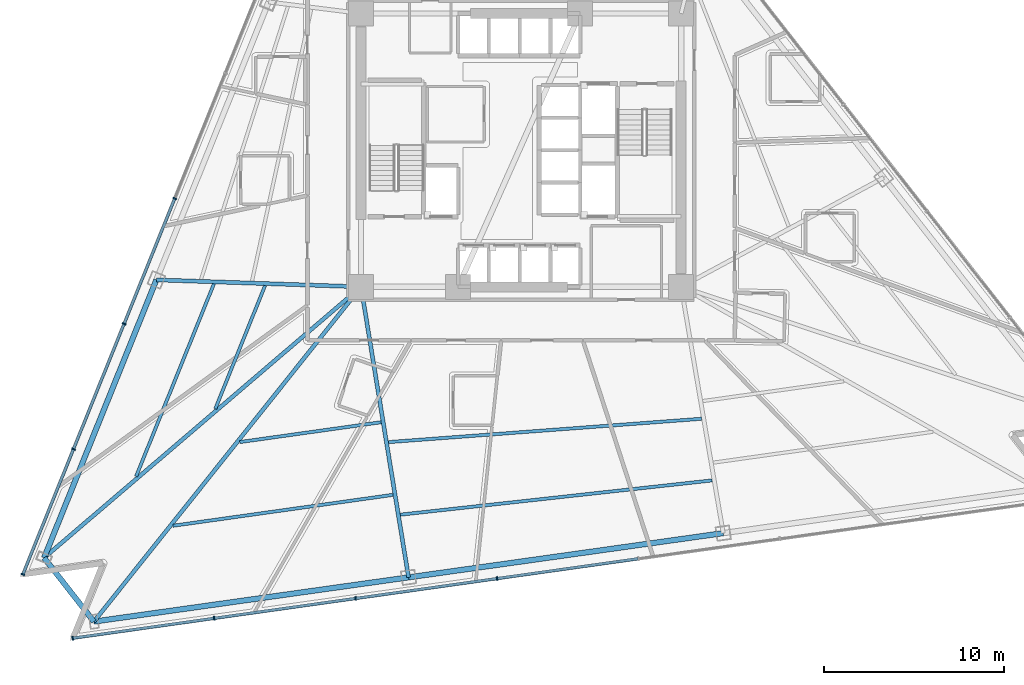
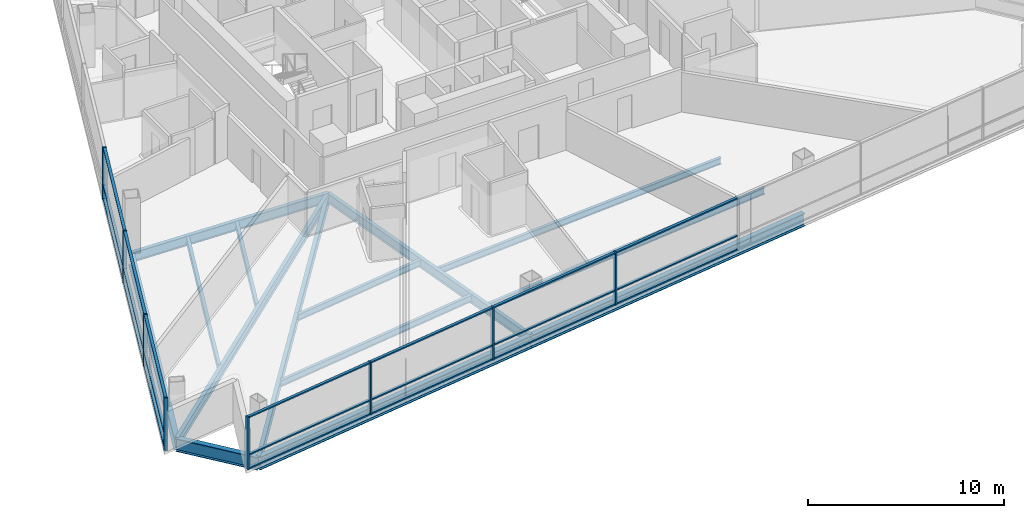
# One storey, part 2 of 15: 29 members, 14 beams, 2 elements without a shape of their own.
"""IFC4 building model written with IfcOpenShell, lengths in metres."""

from ifc_helpers import new_model, si_unit, direction, frame, origin, origin_2d, place, context, subcontext, project, spatial, rectangle, i_section, extrude, material, layer, layer_set, material_profile, profile_set, type_object, element, aggregate, save


model = new_model("IFC4")

# Units and contexts
model_context = context("Model", 3, precision=1e-05, world=origin(), true_north=direction((0.0, 1.0)))
body_context = subcontext(model_context, "Body", "Model", "MODEL_VIEW")
ifc_project = project(units=[si_unit("LENGTHUNIT", "METRE"), si_unit("AREAUNIT", "SQUARE_METRE"), si_unit("VOLUMEUNIT", "CUBIC_METRE"), si_unit("PLANEANGLEUNIT", "RADIAN"), si_unit("MASSUNIT", "GRAM", prefix="KILO")], contexts=[model_context])

# Site, building, storey
site_placement = place(None, origin())
site = spatial("IfcSite", under=ifc_project, at=site_placement, CompositionType="ELEMENT")
building_placement = place(site_placement, origin())
building = spatial("IfcBuilding", under=site, at=building_placement, Name="Tharavind Bronze Gate", CompositionType="ELEMENT")
storey_placement = place(building_placement, frame((0.0, 0.0, 63.85009765625)))
storey = spatial("IfcBuildingStorey", under=building, at=storey_placement, Name="L15", CompositionType="ELEMENT", Elevation=63.85009765625)

# Curtain wall, members
ifc_material_1 = material(Name="Anodised Bronze Aluminium", Category="aluminium")
ifc_layer = layer(ifc_material_1, 0.219970703125)
ifc_layer_set = layer_set([ifc_layer], Name="Anodised Bronze Aluminium")
curtain_wall_type = type_object("IfcCurtainWallType", Name="UNITISED CURTAIN WALL HOTEL", PredefinedType="USERDEFINED", material=ifc_layer_set)
curtain_wall_1_placement = place(storey_placement, origin())
curtain_wall_1 = element("IfcCurtainWall", 1, at=curtain_wall_1_placement, inside=storey, type_object=curtain_wall_type, Name="L15 unitised curtain wall hotel CW-L15-S1", ObjectType="UNITISED CURTAIN WALL", PredefinedType="USERDEFINED")
member_type_1 = type_object("IfcMemberType", Name="CURTAIN WALL MULLION 80X220", PredefinedType="MULLION", material=ifc_material_1)
member_1_placement = place(storey_placement, frame((-19.261474609375, -2.688232421875, 0.0), z_axis=(0.0, 0.0, 1.0), x_axis=(-0.374606593416, -0.927183854567, 0.0)))
member_1 = element("IfcMember", 2, at=member_1_placement, type_object=member_type_1, Name="CW-L15-S1 mullion 5", PredefinedType="MULLION", context=body_context, shape_type="SweptSolid", body=[
    extrude(rectangle(XDim=0.080078125, YDim=0.219970703125, at=origin_2d()), origin(), (0.0, 0.0, 1.0), 3.27490234375),
])
member_2_placement = place(storey_placement, frame((-22.07666015625, -9.65625, 0.0), z_axis=(0.0, 0.0, 1.0), x_axis=(-0.374606593416, -0.927183854567, 0.0)))
member_2 = element("IfcMember", 3, at=member_2_placement, type_object=member_type_1, Name="CW-L15-S1 mullion 6", PredefinedType="MULLION", context=body_context, shape_type="SweptSolid", body=[
    extrude(rectangle(XDim=0.080078125, YDim=0.219970703125, at=origin_2d()), origin(), (0.0, 0.0, 1.0), 3.27490234375),
])
member_3_placement = place(storey_placement, frame((-24.891845703125, -16.6240234375, 0.0), z_axis=(0.0, 0.0, 1.0), x_axis=(-0.374606593416, -0.927183854567, 0.0)))
member_3 = element("IfcMember", 4, at=member_3_placement, type_object=member_type_1, Name="CW-L15-S1 mullion 7", PredefinedType="MULLION", context=body_context, shape_type="SweptSolid", body=[
    extrude(rectangle(XDim=0.080078125, YDim=0.219970703125, at=origin_2d()), origin(), (0.0, 0.0, 1.0), 3.27490234375),
])
member_4_placement = place(storey_placement, frame((-27.70703125, -23.591796875, 0.0), z_axis=(0.0, 0.0, 1.0), x_axis=(-0.374606593416, -0.927183854567, 0.0)))
member_4 = element("IfcMember", 5, at=member_4_placement, type_object=member_type_1, Name="CW-L15-S1 mullion 8", PredefinedType="MULLION", context=body_context, shape_type="SweptSolid", body=[
    extrude(rectangle(XDim=0.080078125, YDim=0.219970703125, at=origin_2d()), origin(), (0.0, 0.0, 1.0), 3.27490234375),
])

curtain_wall_2_placement = place(storey_placement, origin())
curtain_wall_2 = element("IfcCurtainWall", 6, at=curtain_wall_2_placement, inside=storey, type_object=curtain_wall_type, Name="L15 unitised curtain wall hotel CW-L15-S2", ObjectType="UNITISED CURTAIN WALL", PredefinedType="USERDEFINED")
member_5_placement = place(storey_placement, frame((-24.9365234375, -27.137939453125, 0.0), z_axis=(0.0, 0.0, 1.0), x_axis=(0.990268068742, 0.13917310096, 0.0)))
member_5 = element("IfcMember", 7, at=member_5_placement, type_object=member_type_1, Name="CW-L15-S2 mullion 1", PredefinedType="MULLION", context=body_context, shape_type="SweptSolid", body=[
    extrude(rectangle(XDim=0.080078125, YDim=0.219970703125, at=origin_2d()), origin(), (0.0, 0.0, 1.0), 3.27490234375),
])
member_6_placement = place(storey_placement, frame((-17.0703125, -26.032470703125, 0.0), z_axis=(0.0, 0.0, 1.0), x_axis=(0.990268068742, 0.13917310096, 0.0)))
member_6 = element("IfcMember", 8, at=member_6_placement, type_object=member_type_1, Name="CW-L15-S2 mullion 2", PredefinedType="MULLION", context=body_context, shape_type="SweptSolid", body=[
    extrude(rectangle(XDim=0.080078125, YDim=0.219970703125, at=origin_2d()), origin(), (0.0, 0.0, 1.0), 3.27490234375),
])
member_7_placement = place(storey_placement, frame((-9.203857421875, -24.9267578125, 0.0), z_axis=(0.0, 0.0, 1.0), x_axis=(0.990268068742, 0.13917310096, 0.0)))
member_7 = element("IfcMember", 9, at=member_7_placement, type_object=member_type_1, Name="CW-L15-S2 mullion 3", PredefinedType="MULLION", context=body_context, shape_type="SweptSolid", body=[
    extrude(rectangle(XDim=0.080078125, YDim=0.219970703125, at=origin_2d()), origin(), (0.0, 0.0, 1.0), 3.27490234375),
])
member_8_placement = place(storey_placement, frame((-1.337646484375, -23.8212890625, 0.0), z_axis=(0.0, 0.0, 1.0), x_axis=(0.990268068742, 0.13917310096, 0.0)))
member_8 = element("IfcMember", 10, at=member_8_placement, type_object=member_type_1, Name="CW-L15-S2 mullion 4", PredefinedType="MULLION", context=body_context, shape_type="SweptSolid", body=[
    extrude(rectangle(XDim=0.080078125, YDim=0.219970703125, at=origin_2d()), origin(), (0.0, 0.0, 1.0), 3.27490234375),
])

# Member
member_type_2 = type_object("IfcMemberType", Name="CURTAIN WALL TRANSOM 80X160", PredefinedType="USERDEFINED", material=ifc_material_1)
member_9_placement = place(storey_placement, frame((-20.669189453125, -6.17236328125, -0.000244140625), z_axis=(0.0, 0.0, 1.0), x_axis=(-0.374606593416, -0.927183854567, 0.0)))
member_9 = element("IfcMember", 11, at=member_9_placement, type_object=member_type_2, Name="CW-L15-S1 transom TB5", ObjectType="TRANSOM", PredefinedType="USERDEFINED", context=body_context, shape_type="SweptSolid", body=[
    extrude(rectangle(XDim=7.447021484375, YDim=0.159912109375, at=origin_2d()), origin(), (0.0, 0.0, 1.0), 0.080078125),
])

member_10_placement = place(storey_placement, frame((-20.669189453125, -6.17236328125, 0.85986328125), z_axis=(0.0, 0.0, 1.0), x_axis=(-0.374606593416, -0.927183854567, 0.0)))
member_10 = element("IfcMember", 12, at=member_10_placement, type_object=member_type_2, Name="CW-L15-S1 transom TS5", ObjectType="TRANSOM", PredefinedType="USERDEFINED", context=body_context, shape_type="SweptSolid", body=[
    extrude(rectangle(XDim=7.447021484375, YDim=0.159912109375, at=origin_2d()), origin(), (0.0, 0.0, 1.0), 0.080078125),
])

member_11_placement = place(storey_placement, frame((-20.669189453125, -6.17236328125, 3.19482421875), z_axis=(0.0, 0.0, 1.0), x_axis=(-0.374606593416, -0.927183854567, 0.0)))
member_11 = element("IfcMember", 13, at=member_11_placement, type_object=member_type_2, Name="CW-L15-S1 transom TT5", ObjectType="TRANSOM", PredefinedType="USERDEFINED", context=body_context, shape_type="SweptSolid", body=[
    extrude(rectangle(XDim=7.447021484375, YDim=0.159912109375, at=origin_2d()), origin(), (0.0, 0.0, 1.0), 0.080078125),
])

member_12_placement = place(storey_placement, frame((-23.484375, -13.14013671875, -0.000244140625), z_axis=(0.0, 0.0, 1.0), x_axis=(-0.374606593416, -0.927183854567, 0.0)))
member_12 = element("IfcMember", 14, at=member_12_placement, type_object=member_type_2, Name="CW-L15-S1 transom TB6", ObjectType="TRANSOM", PredefinedType="USERDEFINED", context=body_context, shape_type="SweptSolid", body=[
    extrude(rectangle(XDim=7.447021484375, YDim=0.159912109375, at=origin_2d()), origin(), (0.0, 0.0, 1.0), 0.080078125),
])

member_13_placement = place(storey_placement, frame((-23.484375, -13.14013671875, 0.85986328125), z_axis=(0.0, 0.0, 1.0), x_axis=(-0.374606593416, -0.927183854567, 0.0)))
member_13 = element("IfcMember", 15, at=member_13_placement, type_object=member_type_2, Name="CW-L15-S1 transom TS6", ObjectType="TRANSOM", PredefinedType="USERDEFINED", context=body_context, shape_type="SweptSolid", body=[
    extrude(rectangle(XDim=7.447021484375, YDim=0.159912109375, at=origin_2d()), origin(), (0.0, 0.0, 1.0), 0.080078125),
])

member_14_placement = place(storey_placement, frame((-23.484375, -13.14013671875, 3.19482421875), z_axis=(0.0, 0.0, 1.0), x_axis=(-0.374606593416, -0.927183854567, 0.0)))
member_14 = element("IfcMember", 16, at=member_14_placement, type_object=member_type_2, Name="CW-L15-S1 transom TT6", ObjectType="TRANSOM", PredefinedType="USERDEFINED", context=body_context, shape_type="SweptSolid", body=[
    extrude(rectangle(XDim=7.447021484375, YDim=0.159912109375, at=origin_2d()), origin(), (0.0, 0.0, 1.0), 0.080078125),
])

member_15_placement = place(storey_placement, frame((-26.299560546875, -20.10791015625, -0.000244140625), z_axis=(0.0, 0.0, 1.0), x_axis=(-0.374606593416, -0.927183854567, 0.0)))
member_15 = element("IfcMember", 17, at=member_15_placement, type_object=member_type_2, Name="CW-L15-S1 transom TB7", ObjectType="TRANSOM", PredefinedType="USERDEFINED", context=body_context, shape_type="SweptSolid", body=[
    extrude(rectangle(XDim=7.447021484375, YDim=0.159912109375, at=origin_2d()), origin(), (0.0, 0.0, 1.0), 0.080078125),
])

member_16_placement = place(storey_placement, frame((-26.299560546875, -20.10791015625, 0.85986328125), z_axis=(0.0, 0.0, 1.0), x_axis=(-0.374606593416, -0.927183854567, 0.0)))
member_16 = element("IfcMember", 18, at=member_16_placement, type_object=member_type_2, Name="CW-L15-S1 transom TS7", ObjectType="TRANSOM", PredefinedType="USERDEFINED", context=body_context, shape_type="SweptSolid", body=[
    extrude(rectangle(XDim=7.447021484375, YDim=0.159912109375, at=origin_2d()), origin(), (0.0, 0.0, 1.0), 0.080078125),
])

member_17_placement = place(storey_placement, frame((-26.299560546875, -20.10791015625, 3.19482421875), z_axis=(0.0, 0.0, 1.0), x_axis=(-0.374606593416, -0.927183854567, 0.0)))
member_17 = element("IfcMember", 19, at=member_17_placement, type_object=member_type_2, Name="CW-L15-S1 transom TT7", ObjectType="TRANSOM", PredefinedType="USERDEFINED", context=body_context, shape_type="SweptSolid", body=[
    extrude(rectangle(XDim=7.447021484375, YDim=0.159912109375, at=origin_2d()), origin(), (0.0, 0.0, 1.0), 0.080078125),
])

aggregate(curtain_wall_1, [member_1, member_2, member_3, member_4, member_9, member_10, member_11, member_12, member_13, member_14, member_15, member_16, member_17])

member_18_placement = place(storey_placement, frame((-21.00341796875, -26.585205078125, -0.000244140625), z_axis=(0.0, 0.0, 1.0), x_axis=(0.990268068742, 0.13917310096, 0.0)))
member_18 = element("IfcMember", 20, at=member_18_placement, type_object=member_type_2, Name="CW-L15-S2 transom TB1", ObjectType="TRANSOM", PredefinedType="USERDEFINED", context=body_context, shape_type="SweptSolid", body=[
    extrude(rectangle(XDim=7.87548828125, YDim=0.159912109375, at=origin_2d()), origin(), (0.0, 0.0, 1.0), 0.080078125),
])

member_19_placement = place(storey_placement, frame((-21.00341796875, -26.585205078125, 0.85986328125), z_axis=(0.0, 0.0, 1.0), x_axis=(0.990268068742, 0.13917310096, 0.0)))
member_19 = element("IfcMember", 21, at=member_19_placement, type_object=member_type_2, Name="CW-L15-S2 transom TS1", ObjectType="TRANSOM", PredefinedType="USERDEFINED", context=body_context, shape_type="SweptSolid", body=[
    extrude(rectangle(XDim=7.87548828125, YDim=0.159912109375, at=origin_2d()), origin(), (0.0, 0.0, 1.0), 0.080078125),
])

member_20_placement = place(storey_placement, frame((-21.00341796875, -26.585205078125, 3.19482421875), z_axis=(0.0, 0.0, 1.0), x_axis=(0.990268068742, 0.13917310096, 0.0)))
member_20 = element("IfcMember", 22, at=member_20_placement, type_object=member_type_2, Name="CW-L15-S2 transom TT1", ObjectType="TRANSOM", PredefinedType="USERDEFINED", context=body_context, shape_type="SweptSolid", body=[
    extrude(rectangle(XDim=7.87548828125, YDim=0.159912109375, at=origin_2d()), origin(), (0.0, 0.0, 1.0), 0.080078125),
])

member_21_placement = place(storey_placement, frame((-13.13720703125, -25.4794921875, -0.000244140625), z_axis=(0.0, 0.0, 1.0), x_axis=(0.990268068742, 0.13917310096, 0.0)))
member_21 = element("IfcMember", 23, at=member_21_placement, type_object=member_type_2, Name="CW-L15-S2 transom TB2", ObjectType="TRANSOM", PredefinedType="USERDEFINED", context=body_context, shape_type="SweptSolid", body=[
    extrude(rectangle(XDim=7.87548828125, YDim=0.159912109375, at=origin_2d()), origin(), (0.0, 0.0, 1.0), 0.080078125),
])

member_22_placement = place(storey_placement, frame((-13.13720703125, -25.4794921875, 0.85986328125), z_axis=(0.0, 0.0, 1.0), x_axis=(0.990268068742, 0.13917310096, 0.0)))
member_22 = element("IfcMember", 24, at=member_22_placement, type_object=member_type_2, Name="CW-L15-S2 transom TS2", ObjectType="TRANSOM", PredefinedType="USERDEFINED", context=body_context, shape_type="SweptSolid", body=[
    extrude(rectangle(XDim=7.87548828125, YDim=0.159912109375, at=origin_2d()), origin(), (0.0, 0.0, 1.0), 0.080078125),
])

member_23_placement = place(storey_placement, frame((-13.13720703125, -25.4794921875, 3.19482421875), z_axis=(0.0, 0.0, 1.0), x_axis=(0.990268068742, 0.13917310096, 0.0)))
member_23 = element("IfcMember", 25, at=member_23_placement, type_object=member_type_2, Name="CW-L15-S2 transom TT2", ObjectType="TRANSOM", PredefinedType="USERDEFINED", context=body_context, shape_type="SweptSolid", body=[
    extrude(rectangle(XDim=7.87548828125, YDim=0.159912109375, at=origin_2d()), origin(), (0.0, 0.0, 1.0), 0.080078125),
])

member_24_placement = place(storey_placement, frame((-5.270751953125, -24.3740234375, -0.000244140625), z_axis=(0.0, 0.0, 1.0), x_axis=(0.990268068742, 0.13917310096, 0.0)))
member_24 = element("IfcMember", 26, at=member_24_placement, type_object=member_type_2, Name="CW-L15-S2 transom TB3", ObjectType="TRANSOM", PredefinedType="USERDEFINED", context=body_context, shape_type="SweptSolid", body=[
    extrude(rectangle(XDim=7.87548828125, YDim=0.159912109375, at=origin_2d()), origin(), (0.0, 0.0, 1.0), 0.080078125),
])

member_25_placement = place(storey_placement, frame((-5.270751953125, -24.3740234375, 0.85986328125), z_axis=(0.0, 0.0, 1.0), x_axis=(0.990268068742, 0.13917310096, 0.0)))
member_25 = element("IfcMember", 27, at=member_25_placement, type_object=member_type_2, Name="CW-L15-S2 transom TS3", ObjectType="TRANSOM", PredefinedType="USERDEFINED", context=body_context, shape_type="SweptSolid", body=[
    extrude(rectangle(XDim=7.87548828125, YDim=0.159912109375, at=origin_2d()), origin(), (0.0, 0.0, 1.0), 0.080078125),
])

member_26_placement = place(storey_placement, frame((-5.270751953125, -24.3740234375, 3.19482421875), z_axis=(0.0, 0.0, 1.0), x_axis=(0.990268068742, 0.13917310096, 0.0)))
member_26 = element("IfcMember", 28, at=member_26_placement, type_object=member_type_2, Name="CW-L15-S2 transom TT3", ObjectType="TRANSOM", PredefinedType="USERDEFINED", context=body_context, shape_type="SweptSolid", body=[
    extrude(rectangle(XDim=7.87548828125, YDim=0.159912109375, at=origin_2d()), origin(), (0.0, 0.0, 1.0), 0.080078125),
])

member_27_placement = place(storey_placement, frame((2.595703125, -23.2685546875, -0.000244140625), z_axis=(0.0, 0.0, 1.0), x_axis=(0.990268068742, 0.13917310096, 0.0)))
member_27 = element("IfcMember", 29, at=member_27_placement, type_object=member_type_2, Name="CW-L15-S2 transom TB4", ObjectType="TRANSOM", PredefinedType="USERDEFINED", context=body_context, shape_type="SweptSolid", body=[
    extrude(rectangle(XDim=7.87548828125, YDim=0.159912109375, at=origin_2d()), origin(), (0.0, 0.0, 1.0), 0.080078125),
])

member_28_placement = place(storey_placement, frame((2.595703125, -23.2685546875, 0.85986328125), z_axis=(0.0, 0.0, 1.0), x_axis=(0.990268068742, 0.13917310096, 0.0)))
member_28 = element("IfcMember", 30, at=member_28_placement, type_object=member_type_2, Name="CW-L15-S2 transom TS4", ObjectType="TRANSOM", PredefinedType="USERDEFINED", context=body_context, shape_type="SweptSolid", body=[
    extrude(rectangle(XDim=7.87548828125, YDim=0.159912109375, at=origin_2d()), origin(), (0.0, 0.0, 1.0), 0.080078125),
])

member_29_placement = place(storey_placement, frame((2.595703125, -23.2685546875, 3.19482421875), z_axis=(0.0, 0.0, 1.0), x_axis=(0.990268068742, 0.13917310096, 0.0)))
member_29 = element("IfcMember", 31, at=member_29_placement, type_object=member_type_2, Name="CW-L15-S2 transom TT4", ObjectType="TRANSOM", PredefinedType="USERDEFINED", context=body_context, shape_type="SweptSolid", body=[
    extrude(rectangle(XDim=7.87548828125, YDim=0.159912109375, at=origin_2d()), origin(), (0.0, 0.0, 1.0), 0.080078125),
])

aggregate(curtain_wall_2, [member_5, member_6, member_7, member_8, member_18, member_19, member_20, member_21, member_22, member_23, member_24, member_25, member_26, member_27, member_28, member_29])

# Beams
ifc_material_2 = material(Name="Steel S355", Category="steel")
ifc_material_profile_1 = material_profile(ifc_material_2, i_section(OverallWidth=0.219970703125, OverallDepth=0.60009765625, WebThickness=0.011962890625, FlangeThickness=0.01904296875, at=origin_2d()), Name="IPE600")
ifc_profile_set_1 = profile_set([ifc_material_profile_1], Name="Steel S355")
beam_type_1 = type_object("IfcBeamType", Name="PRIMARY GIRDER IPE600", PredefinedType="USERDEFINED", material=ifc_profile_set_1)
beam_1_placement = place(storey_placement, frame((-20.28076171875, -7.212890625, -0.47509765625), z_axis=(0.999421731514, -0.034002978938, 0.0), x_axis=(0.034002978938, 0.999421731514, 0.0)))
element("IfcBeam", 32, at=beam_1_placement, inside=storey, type_object=beam_type_1, Name="L15 primary girder ipe600 BM-L15-RAD03", ObjectType="GIRDER", PredefinedType="USERDEFINED", context=body_context, shape_type="SweptSolid", body=[
    extrude(i_section(OverallWidth=0.219970703125, OverallDepth=0.60009765625, WebThickness=0.011962890625, FlangeThickness=0.01904296875, at=origin_2d()), origin(), (0.0, 0.0, 1.0), 11.387451171875),
])
beam_2_placement = place(storey_placement, frame((-26.525146484375, -22.66845703125, -0.47509765625), z_axis=(0.760086871137, 0.649821474195, 0.0), x_axis=(-0.649821474195, 0.760086871137, 0.0)))
element("IfcBeam", 33, at=beam_2_placement, inside=storey, type_object=beam_type_1, Name="L15 primary girder ipe600 BM-L15-RAD04", ObjectType="GIRDER", PredefinedType="USERDEFINED", context=body_context, shape_type="SweptSolid", body=[
    extrude(i_section(OverallWidth=0.219970703125, OverallDepth=0.60009765625, WebThickness=0.011962890625, FlangeThickness=0.01904296875, at=origin_2d()), origin(), (0.0, 0.0, 1.0), 23.1884765625),
])
beam_3_placement = place(storey_placement, frame((-23.754638671875, -26.21435546875, -0.47509765625), z_axis=(0.623755703822, 0.781619358735, 0.0), x_axis=(-0.781619358735, 0.623755703822, 0.0)))
element("IfcBeam", 34, at=beam_3_placement, inside=storey, type_object=beam_type_1, Name="L15 primary girder ipe600 BM-L15-RAD05", ObjectType="GIRDER", PredefinedType="USERDEFINED", context=body_context, shape_type="SweptSolid", body=[
    extrude(i_section(OverallWidth=0.219970703125, OverallDepth=0.60009765625, WebThickness=0.011962890625, FlangeThickness=0.01904296875, at=origin_2d()), origin(), (0.0, 0.0, 1.0), 23.81494140625),
])
beam_4_placement = place(storey_placement, frame((-6.25732421875, -23.75537109375, -0.47509765625), z_axis=(-0.161428355107, 0.986884434049, 0.0), x_axis=(-0.986884434049, -0.161428355107, 0.0)))
element("IfcBeam", 35, at=beam_4_placement, inside=storey, type_object=beam_type_1, Name="L15 primary girder ipe600 BM-L15-RAD06", ObjectType="GIRDER", PredefinedType="USERDEFINED", context=body_context, shape_type="SweptSolid", body=[
    extrude(i_section(OverallWidth=0.219970703125, OverallDepth=0.60009765625, WebThickness=0.011962890625, FlangeThickness=0.01904296875, at=origin_2d()), origin(), (0.0, 0.0, 1.0), 16.369873046875),
])
ifc_material_profile_2 = material_profile(ifc_material_2, i_section(OverallWidth=0.300048828125, OverallDepth=0.800048828125, WebThickness=0.017578125, FlangeThickness=0.032958984375, at=origin_2d()), Name="HE800B")
ifc_profile_set_2 = profile_set([ifc_material_profile_2], Name="Steel S355")
beam_type_2 = type_object("IfcBeamType", Name="RING GIRDER HE800B", PredefinedType="USERDEFINED", material=ifc_profile_set_2)
beam_5_placement = place(storey_placement, frame((-20.28076171875, -7.212890625, -0.5751953125), z_axis=(-0.374603014443, -0.927185300557, 0.0), x_axis=(0.927185300557, -0.374603014443, 0.0)))
element("IfcBeam", 36, at=beam_5_placement, inside=storey, type_object=beam_type_2, Name="L15 ring girder he800b BM-L15-PRG03", ObjectType="GIRDER", PredefinedType="USERDEFINED", context=body_context, shape_type="SweptSolid", body=[
    extrude(i_section(OverallWidth=0.300048828125, OverallDepth=0.800048828125, WebThickness=0.017578125, FlangeThickness=0.032958984375, at=origin_2d()), origin(), (0.0, 0.0, 1.0), 16.66943359375),
])
beam_6_placement = place(storey_placement, frame((-26.525146484375, -22.66845703125, -0.5751953125), z_axis=(0.615681943852, -0.787994761413, 0.0), x_axis=(0.787994761413, 0.615681943852, 0.0)))
element("IfcBeam", 37, at=beam_6_placement, inside=storey, type_object=beam_type_2, Name="L15 ring girder he800b BM-L15-PRG04", ObjectType="GIRDER", PredefinedType="USERDEFINED", context=body_context, shape_type="SweptSolid", body=[
    extrude(i_section(OverallWidth=0.300048828125, OverallDepth=0.800048828125, WebThickness=0.017578125, FlangeThickness=0.032958984375, at=origin_2d()), origin(), (0.0, 0.0, 1.0), 4.5),
])
beam_7_placement = place(storey_placement, frame((-23.754638671875, -26.21435546875, -0.5751953125), z_axis=(0.990268870582, 0.13916739545, 0.0), x_axis=(-0.13916739545, 0.990268870582, 0.0)))
element("IfcBeam", 38, at=beam_7_placement, inside=storey, type_object=beam_type_2, Name="L15 ring girder he800b BM-L15-PRG05", ObjectType="GIRDER", PredefinedType="USERDEFINED", context=body_context, shape_type="SweptSolid", body=[
    extrude(i_section(OverallWidth=0.300048828125, OverallDepth=0.800048828125, WebThickness=0.017578125, FlangeThickness=0.032958984375, at=origin_2d()), origin(), (0.0, 0.0, 1.0), 17.669189453125),
])
beam_8_placement = place(storey_placement, frame((-6.25732421875, -23.75537109375, -0.5751953125), z_axis=(0.99026860297, 0.139169299675, 0.0), x_axis=(-0.139169299675, 0.99026860297, 0.0)))
element("IfcBeam", 39, at=beam_8_placement, inside=storey, type_object=beam_type_2, Name="L15 ring girder he800b BM-L15-PRG06", ObjectType="GIRDER", PredefinedType="USERDEFINED", context=body_context, shape_type="SweptSolid", body=[
    extrude(i_section(OverallWidth=0.300048828125, OverallDepth=0.800048828125, WebThickness=0.017578125, FlangeThickness=0.032958984375, at=origin_2d()), origin(), (0.0, 0.0, 1.0), 17.6689453125),
])
ifc_material_profile_3 = material_profile(ifc_material_2, i_section(OverallWidth=0.179931640625, OverallDepth=0.39990234375, WebThickness=0.008544921875, FlangeThickness=0.013427734375, at=origin_2d()), Name="IPE400")
ifc_profile_set_3 = profile_set([ifc_material_profile_3], Name="Steel S355")
beam_type_3 = type_object("IfcBeamType", Name="SECONDARY FLOOR JOIST IPE400", PredefinedType="JOIST", material=ifc_profile_set_3)
beam_9_placement = place(storey_placement, frame((-14.2373046875, -7.5322265625, -0.375), z_axis=(-0.37461330308, -0.927181143658, 0.0), x_axis=(0.927181143658, -0.37461330308, 0.0)))
element("IfcBeam", 40, at=beam_9_placement, inside=storey, type_object=beam_type_3, Name="L15 secondary floor joist ipe400 BM-L15-JSTA03", PredefinedType="JOIST", context=body_context, shape_type="SweptSolid", body=[
    extrude(i_section(OverallWidth=0.179931640625, OverallDepth=0.39990234375, WebThickness=0.008544921875, FlangeThickness=0.013427734375, at=origin_2d()), origin(), (0.0, 0.0, 1.0), 7.387939453125),
])
beam_10_placement = place(storey_placement, frame((-17.08251953125, -7.435546875, -0.375), z_axis=(-0.374608720943, -0.927182994987, 0.0), x_axis=(0.927182994987, -0.374608720943, 0.0)))
element("IfcBeam", 41, at=beam_10_placement, inside=storey, type_object=beam_type_3, Name="L15 secondary floor joist ipe400 BM-L15-JSTB03", PredefinedType="JOIST", context=body_context, shape_type="SweptSolid", body=[
    extrude(i_section(OverallWidth=0.179931640625, OverallDepth=0.39990234375, WebThickness=0.008544921875, FlangeThickness=0.013427734375, at=origin_2d()), origin(), (0.0, 0.0, 1.0), 11.554931640625),
])
beam_11_placement = place(storey_placement, frame((-15.64501953125, -16.23291015625, -0.375), z_axis=(0.990268635853, 0.139169065695, 0.0), x_axis=(-0.139169065695, 0.990268635853, 0.0)))
element("IfcBeam", 42, at=beam_11_placement, inside=storey, type_object=beam_type_3, Name="L15 secondary floor joist ipe400 BM-L15-JSTA05", PredefinedType="JOIST", context=body_context, shape_type="SweptSolid", body=[
    extrude(i_section(OverallWidth=0.179931640625, OverallDepth=0.39990234375, WebThickness=0.008544921875, FlangeThickness=0.013427734375, at=origin_2d()), origin(), (0.0, 0.0, 1.0), 7.93798828125),
])
beam_12_placement = place(storey_placement, frame((-19.358642578125, -20.886474609375, -0.375), z_axis=(0.990268624097, 0.139169149347, 0.0), x_axis=(-0.139169149347, 0.990268624097, 0.0)))
element("IfcBeam", 43, at=beam_12_placement, inside=storey, type_object=beam_type_3, Name="L15 secondary floor joist ipe400 BM-L15-JSTB05", PredefinedType="JOIST", context=body_context, shape_type="SweptSolid", body=[
    extrude(i_section(OverallWidth=0.179931640625, OverallDepth=0.39990234375, WebThickness=0.008544921875, FlangeThickness=0.013427734375, at=origin_2d()), origin(), (0.0, 0.0, 1.0), 12.355224609375),
])
beam_13_placement = place(storey_placement, frame((-7.3720703125, -16.234619140625, -0.375), z_axis=(0.997229733674, 0.074383185436, 0.0), x_axis=(-0.074383185436, 0.997229733674, 0.0)))
element("IfcBeam", 44, at=beam_13_placement, inside=storey, type_object=beam_type_3, Name="L15 secondary floor joist ipe400 BM-L15-JSTA06", PredefinedType="JOIST", context=body_context, shape_type="SweptSolid", body=[
    extrude(i_section(OverallWidth=0.179931640625, OverallDepth=0.39990234375, WebThickness=0.008544921875, FlangeThickness=0.013427734375, at=origin_2d()), origin(), (0.0, 0.0, 1.0), 17.4580078125),
])
beam_14_placement = place(storey_placement, frame((-6.712158203125, -20.269287109375, -0.375), z_axis=(0.99401448474, 0.109248359842, 0.0), x_axis=(-0.109248359842, 0.99401448474, 0.0)))
element("IfcBeam", 45, at=beam_14_placement, inside=storey, type_object=beam_type_3, Name="L15 secondary floor joist ipe400 BM-L15-JSTB06", PredefinedType="JOIST", context=body_context, shape_type="SweptSolid", body=[
    extrude(i_section(OverallWidth=0.179931640625, OverallDepth=0.39990234375, WebThickness=0.008544921875, FlangeThickness=0.013427734375, at=origin_2d()), origin(), (0.0, 0.0, 1.0), 17.43994140625),
])

save(model, "model.ifc")
